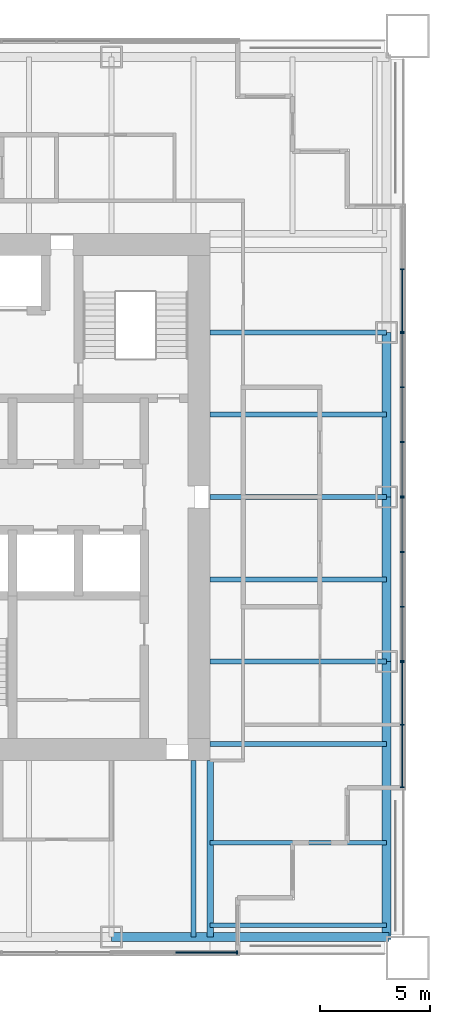
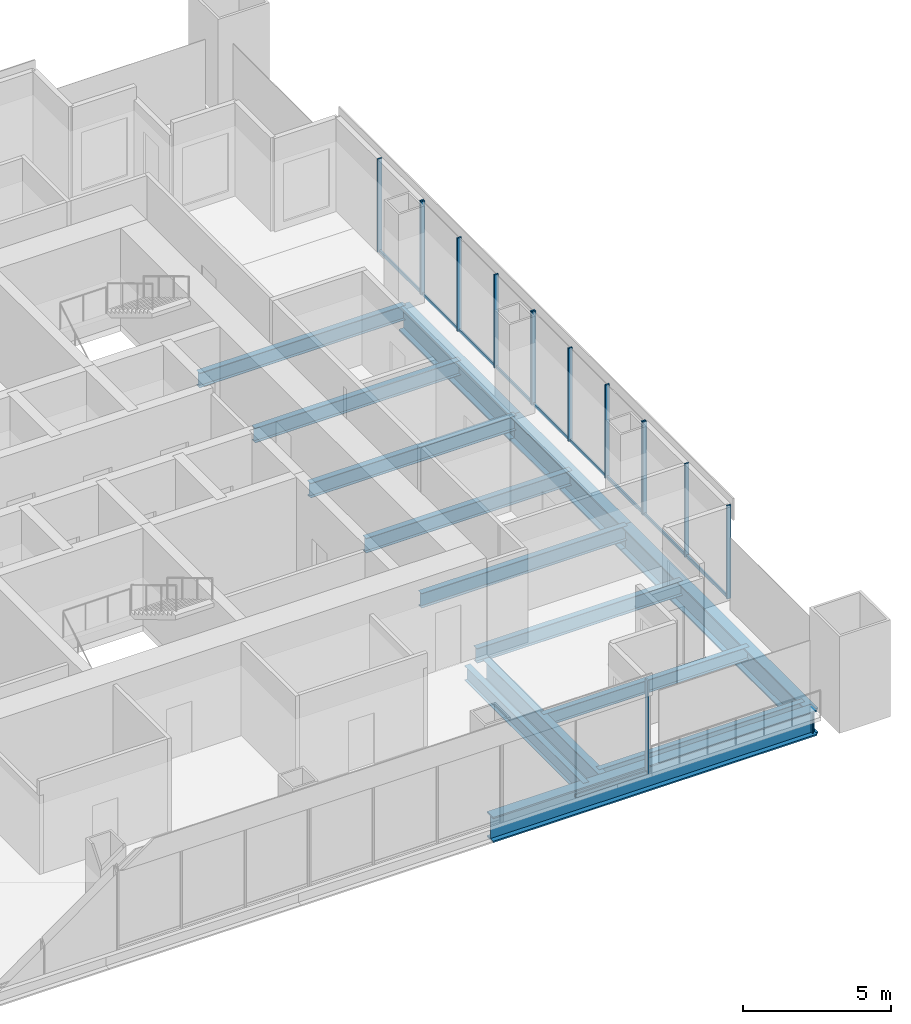
# One storey, part 5 of 14: 24 members, 14 beams, 5 elements without a shape of their own.
"""IFC4 building model written with IfcOpenShell, lengths in metres."""

from ifc_helpers import new_model, si_unit, direction, frame, origin, origin_2d, place, context, subcontext, project, spatial, rectangle, i_section, extrude, material, material_profile, profile_set, type_object, element, aggregate, save


model = new_model("IFC4")

# Units and contexts
model_context = context("Model", 3, precision=1e-05, world=origin(), true_north=direction((0.0, 1.0)))
body_context = subcontext(model_context, "Body", "Model", "MODEL_VIEW")
ifc_project = project(units=[si_unit("LENGTHUNIT", "METRE"), si_unit("AREAUNIT", "SQUARE_METRE"), si_unit("VOLUMEUNIT", "CUBIC_METRE"), si_unit("PLANEANGLEUNIT", "RADIAN"), si_unit("MASSUNIT", "GRAM", prefix="KILO")], contexts=[model_context])

# Site, building, storey
site_placement = place(None, origin())
site = spatial("IfcSite", under=ifc_project, at=site_placement, CompositionType="ELEMENT")
building_placement = place(site_placement, origin())
building = spatial("IfcBuilding", under=site, at=building_placement, Name="Tarangal Relay Tower", CompositionType="ELEMENT")
storey_placement = place(building_placement, frame((0.0, 0.0, 323.89990234375)))
storey = spatial("IfcBuildingStorey", under=building, at=storey_placement, Name="L72", CompositionType="ELEMENT", Elevation=323.89990234375)

# Beams
ifc_material_1 = material(Name="Steel ASTM A992", Category="steel")
ifc_material_profile_1 = material_profile(ifc_material_1, i_section(OverallWidth=0.209228515625, OverallDepth=0.533447265625, WebThickness=0.01025390625, FlangeThickness=0.015625, at=origin_2d()), Name="W21X62")
ifc_profile_set_1 = profile_set([ifc_material_profile_1], Name="Steel ASTM A992")
beam_type_1 = type_object("IfcBeamType", Name="Corner beam W21X62", PredefinedType="JOIST", material=ifc_profile_set_1)
for number, where, z_axis, x_axis, name in (
    (1, (12.0, -15.75, -0.41650390625), (1.0, 0.0, 0.0), (0.0, 1.0, 0.0), "Corner beam CB12 E L72"),
    (2, (12.0, -19.5, -0.41650390625), (1.0, 0.0, 0.0), (0.0, 1.0, 0.0), "Corner beam CB12 E L72"),
):
    element("IfcBeam", number, at=place(storey_placement, frame(where, z_axis=z_axis, x_axis=x_axis)), inside=storey, type_object=beam_type_1, Name=name, PredefinedType="JOIST", context=body_context, shape_type="SweptSolid", body=[
        extrude(i_section(OverallWidth=0.209228515625, OverallDepth=0.533447265625, WebThickness=0.01025390625, FlangeThickness=0.015625, at=origin_2d()), origin(), (0.0, 0.0, 1.0), 8.0400390625),
    ])
ifc_material_profile_2 = material_profile(ifc_material_1, i_section(OverallWidth=0.2919921875, OverallDepth=0.8408203125, WebThickness=0.0146484375, FlangeThickness=0.021728515625, at=origin_2d()), Name="W33X130")
ifc_profile_set_2 = profile_set([ifc_material_profile_2], Name="Steel ASTM A992")
beam_type_2 = type_object("IfcBeamType", Name="Corner girder W33X130", PredefinedType="BEAM", material=ifc_profile_set_2)
beam_placement = place(storey_placement, frame((12.0, -12.0, -0.5703125), z_axis=(0.0, -1.0, 0.0), x_axis=(1.0, 0.0, 0.0)))
element("IfcBeam", 3, at=beam_placement, inside=storey, type_object=beam_type_2, Name="Corner girder CG5 E L72", PredefinedType="BEAM", context=body_context, shape_type="SweptSolid", body=[
    extrude(i_section(OverallWidth=0.2919921875, OverallDepth=0.8408203125, WebThickness=0.0146484375, FlangeThickness=0.021728515625, at=origin_2d()), origin(), (0.0, 0.0, 1.0), 8.0400390625),
])
ifc_material_profile_3 = material_profile(ifc_material_1, i_section(OverallWidth=0.41162109375, OverallDepth=1.049072265625, WebThickness=0.033935546875, FlangeThickness=0.059814453125, at=origin_2d()), Name="W40X431")
ifc_profile_set_3 = profile_set([ifc_material_profile_3], Name="Steel ASTM A992")
beam_type_3 = type_object("IfcBeamType", Name="Edge girder W40X431", PredefinedType="SPANDREL", material=ifc_profile_set_3)
for number, where, z_axis, x_axis, name in (
    (4, (20.0400390625, 7.5, -0.67431640625), (0.0, -1.0, 0.0), (1.0, 0.0, 0.0), "Edge girder EG1 E L72"),
    (5, (20.0400390625, 0.0, -0.67431640625), (0.0, -1.0, 0.0), (1.0, 0.0, 0.0), "Edge girder EG1 E L72"),
):
    element("IfcBeam", number, at=place(storey_placement, frame(where, z_axis=z_axis, x_axis=x_axis)), inside=storey, type_object=beam_type_3, Name=name, PredefinedType="SPANDREL", context=body_context, shape_type="SweptSolid", body=[
        extrude(i_section(OverallWidth=0.41162109375, OverallDepth=1.049072265625, WebThickness=0.033935546875, FlangeThickness=0.059814453125, at=origin_2d()), origin(), (0.0, 0.0, 1.0), 7.5),
    ])
for number, where, z_axis, x_axis, name in (
    (6, (20.0400390625, -7.5, -0.67431640625), (0.0, -1.0, 0.0), (1.0, 0.0, 0.0), "Edge girder EG1 E L72"),
    (7, (20.14990234375, -20.0400390625, -0.67431640625), (-1.0, 0.0, 0.0), (0.0, -1.0, 0.0), "Edge girder EG1 S L72"),
):
    element("IfcBeam", number, at=place(storey_placement, frame(where, z_axis=z_axis, x_axis=x_axis)), inside=storey, type_object=beam_type_3, Name=name, PredefinedType="SPANDREL", context=body_context, shape_type="SweptSolid", body=[
        extrude(i_section(OverallWidth=0.41162109375, OverallDepth=1.049072265625, WebThickness=0.033935546875, FlangeThickness=0.059814453125, at=origin_2d()), origin(), (0.0, 0.0, 1.0), 12.64990234375),
    ])
ifc_material_profile_4 = material_profile(ifc_material_1, i_section(OverallWidth=0.228271484375, OverallDepth=0.607177734375, WebThickness=0.01123046875, FlangeThickness=0.017333984375, at=origin_2d()), Name="W24X76")
ifc_profile_set_4 = profile_set([ifc_material_profile_4], Name="Steel ASTM A992")
beam_type_4 = type_object("IfcBeamType", Name="Floor beam W24X76", PredefinedType="BEAM", material=ifc_profile_set_4)
for number, where, z_axis, x_axis, name in (
    (8, (12.0, 7.5, -0.453369140625), (1.0, 0.0, 0.0), (0.0, 1.0, 0.0), "Floor beam RB5 E L72"),
    (9, (12.0, 3.75, -0.453369140625), (1.0, 0.0, 0.0), (0.0, 1.0, 0.0), "Floor beam RB5 E L72"),
    (10, (12.0, 0.0, -0.453369140625), (1.0, 0.0, 0.0), (0.0, 1.0, 0.0), "Floor beam RB5 E L72"),
    (11, (12.0, -3.75, -0.453369140625), (1.0, 0.0, 0.0), (0.0, 1.0, 0.0), "Floor beam RB5 E L72"),
    (12, (12.0, -7.5, -0.453369140625), (1.0, 0.0, 0.0), (0.0, 1.0, 0.0), "Floor beam RB5 E L72"),
    (13, (12.0, -11.25, -0.453369140625), (1.0, 0.0, 0.0), (0.0, 1.0, 0.0), "Floor beam RB5 E L72"),
    (14, (11.25, -12.0, -0.453369140625), (0.0, -1.0, 0.0), (1.0, 0.0, 0.0), "Floor beam RB5 S L72"),
):
    element("IfcBeam", number, at=place(storey_placement, frame(where, z_axis=z_axis, x_axis=x_axis)), inside=storey, type_object=beam_type_4, Name=name, PredefinedType="BEAM", context=body_context, shape_type="SweptSolid", body=[
        extrude(i_section(OverallWidth=0.228271484375, OverallDepth=0.607177734375, WebThickness=0.01123046875, FlangeThickness=0.017333984375, at=origin_2d()), origin(), (0.0, 0.0, 1.0), 8.0400390625),
    ])

# Curtain wall, members
ifc_material_2 = material(Name="Unitised curtain wall, dark glass and black aluminium", Category="aluminium")
curtain_wall_type_1 = type_object("IfcCurtainWallType", Name="Curtain wall CW-B", PredefinedType="USERDEFINED", material=ifc_material_2)
curtain_wall_1_placement = place(storey_placement, origin())
curtain_wall_1 = element("IfcCurtainWall", 15, at=curtain_wall_1_placement, inside=storey, type_object=curtain_wall_type_1, Name="Curtain wall CW-B E facade L72", ObjectType="UNITISED CURTAIN WALL", PredefinedType="USERDEFINED")
ifc_material_3 = material(Name="Black anodised aluminium mullion", Category="aluminium")
ifc_material_profile_5 = material_profile(ifc_material_3, rectangle(XDim=0.159912109375, YDim=0.06005859375, at=origin_2d()), Name="CW-BM 60X160")
ifc_profile_set_5 = profile_set([ifc_material_profile_5], Name="Black anodised aluminium mullion")
member_type_1 = type_object("IfcMemberType", Name="Mullion CW-B 60 x 160", PredefinedType="MULLION", material=ifc_profile_set_5)
member_1_placement = place(storey_placement, frame((20.75, 7.469970703125, 0.0), z_axis=(0.0, 0.0, 1.0), x_axis=(1.0, 0.0, 0.0)))
member_1 = element("IfcMember", 16, at=member_1_placement, type_object=member_type_1, Name="CW-B mullion 1", PredefinedType="MULLION", context=body_context, shape_type="SweptSolid", body=[
    extrude(rectangle(XDim=0.159912109375, YDim=0.06005859375, at=origin_2d()), origin(), (0.0, 0.0, 1.0), 3.85009765625),
])
member_2_placement = place(storey_placement, frame((20.75, 5.0, 0.0), z_axis=(0.0, 0.0, 1.0), x_axis=(1.0, 0.0, 0.0)))
member_2 = element("IfcMember", 17, at=member_2_placement, type_object=member_type_1, Name="CW-B mullion 2", PredefinedType="MULLION", context=body_context, shape_type="SweptSolid", body=[
    extrude(rectangle(XDim=0.159912109375, YDim=0.06005859375, at=origin_2d()), origin(), (0.0, 0.0, 1.0), 3.85009765625),
])
member_3_placement = place(storey_placement, frame((20.75, 2.5, 0.0), z_axis=(0.0, 0.0, 1.0), x_axis=(1.0, 0.0, 0.0)))
member_3 = element("IfcMember", 18, at=member_3_placement, type_object=member_type_1, Name="CW-B mullion 3", PredefinedType="MULLION", context=body_context, shape_type="SweptSolid", body=[
    extrude(rectangle(XDim=0.159912109375, YDim=0.06005859375, at=origin_2d()), origin(), (0.0, 0.0, 1.0), 3.85009765625),
])
member_4_placement = place(storey_placement, frame((20.75, 0.030029296875, 0.0), z_axis=(0.0, 0.0, 1.0), x_axis=(1.0, 0.0, 0.0)))
member_4 = element("IfcMember", 19, at=member_4_placement, type_object=member_type_1, Name="CW-B mullion 4", PredefinedType="MULLION", context=body_context, shape_type="SweptSolid", body=[
    extrude(rectangle(XDim=0.159912109375, YDim=0.06005859375, at=origin_2d()), origin(), (0.0, 0.0, 1.0), 3.85009765625),
])

curtain_wall_2_placement = place(storey_placement, origin())
curtain_wall_2 = element("IfcCurtainWall", 20, at=curtain_wall_2_placement, inside=storey, type_object=curtain_wall_type_1, Name="Curtain wall CW-B E facade L72", ObjectType="UNITISED CURTAIN WALL", PredefinedType="USERDEFINED")
member_5_placement = place(storey_placement, frame((20.75, -0.030029296875, 0.0), z_axis=(0.0, 0.0, 1.0), x_axis=(1.0, 0.0, 0.0)))
member_5 = element("IfcMember", 21, at=member_5_placement, type_object=member_type_1, Name="CW-B mullion 1", PredefinedType="MULLION", context=body_context, shape_type="SweptSolid", body=[
    extrude(rectangle(XDim=0.159912109375, YDim=0.06005859375, at=origin_2d()), origin(), (0.0, 0.0, 1.0), 3.85009765625),
])
member_6_placement = place(storey_placement, frame((20.75, -2.5, 0.0), z_axis=(0.0, 0.0, 1.0), x_axis=(1.0, 0.0, 0.0)))
member_6 = element("IfcMember", 22, at=member_6_placement, type_object=member_type_1, Name="CW-B mullion 2", PredefinedType="MULLION", context=body_context, shape_type="SweptSolid", body=[
    extrude(rectangle(XDim=0.159912109375, YDim=0.06005859375, at=origin_2d()), origin(), (0.0, 0.0, 1.0), 3.85009765625),
])
member_7_placement = place(storey_placement, frame((20.75, -5.0, 0.0), z_axis=(0.0, 0.0, 1.0), x_axis=(1.0, 0.0, 0.0)))
member_7 = element("IfcMember", 23, at=member_7_placement, type_object=member_type_1, Name="CW-B mullion 3", PredefinedType="MULLION", context=body_context, shape_type="SweptSolid", body=[
    extrude(rectangle(XDim=0.159912109375, YDim=0.06005859375, at=origin_2d()), origin(), (0.0, 0.0, 1.0), 3.85009765625),
])
member_8_placement = place(storey_placement, frame((20.75, -7.469970703125, 0.0), z_axis=(0.0, 0.0, 1.0), x_axis=(1.0, 0.0, 0.0)))
member_8 = element("IfcMember", 24, at=member_8_placement, type_object=member_type_1, Name="CW-B mullion 4", PredefinedType="MULLION", context=body_context, shape_type="SweptSolid", body=[
    extrude(rectangle(XDim=0.159912109375, YDim=0.06005859375, at=origin_2d()), origin(), (0.0, 0.0, 1.0), 3.85009765625),
])

ifc_material_4 = material(Name="Unitised curtain wall frame, black aluminium, with metal clad infill walls", Category="aluminium")
curtain_wall_type_2 = type_object("IfcCurtainWallType", Name="Curtain wall CW-BO", PredefinedType="USERDEFINED", material=ifc_material_4)
curtain_wall_3_placement = place(storey_placement, origin())
curtain_wall_3 = element("IfcCurtainWall", 25, at=curtain_wall_3_placement, inside=storey, type_object=curtain_wall_type_2, Name="Curtain wall CW-BO E facade L72", ObjectType="UNITISED CURTAIN WALL", PredefinedType="USERDEFINED")
ifc_material_profile_6 = material_profile(ifc_material_3, rectangle(XDim=0.159912109375, YDim=0.06005859375, at=origin_2d()), Name="CW-BOM 60X160")
ifc_profile_set_6 = profile_set([ifc_material_profile_6], Name="Black anodised aluminium mullion")
member_type_2 = type_object("IfcMemberType", Name="Mullion CW-BO 60 x 160", PredefinedType="MULLION", material=ifc_profile_set_6)
member_9_placement = place(storey_placement, frame((20.75, 10.375, 0.0), z_axis=(0.0, 0.0, 1.0), x_axis=(1.0, 0.0, 0.0)))
member_9 = element("IfcMember", 26, at=member_9_placement, type_object=member_type_2, Name="CW-BO mullion 2", PredefinedType="MULLION", context=body_context, shape_type="SweptSolid", body=[
    extrude(rectangle(XDim=0.159912109375, YDim=0.06005859375, at=origin_2d()), origin(), (0.0, 0.0, 1.0), 3.85009765625),
])
member_10_placement = place(storey_placement, frame((20.75, 7.530029296875, 0.0), z_axis=(0.0, 0.0, 1.0), x_axis=(1.0, 0.0, 0.0)))
member_10 = element("IfcMember", 27, at=member_10_placement, type_object=member_type_2, Name="CW-BO mullion 3", PredefinedType="MULLION", context=body_context, shape_type="SweptSolid", body=[
    extrude(rectangle(XDim=0.159912109375, YDim=0.06005859375, at=origin_2d()), origin(), (0.0, 0.0, 1.0), 3.85009765625),
])

curtain_wall_4_placement = place(storey_placement, origin())
curtain_wall_4 = element("IfcCurtainWall", 28, at=curtain_wall_4_placement, inside=storey, type_object=curtain_wall_type_2, Name="Curtain wall CW-BO E facade L72", ObjectType="UNITISED CURTAIN WALL", PredefinedType="USERDEFINED")
member_11_placement = place(storey_placement, frame((20.75, -7.530029296875, 0.0), z_axis=(0.0, 0.0, 1.0), x_axis=(1.0, 0.0, 0.0)))
member_11 = element("IfcMember", 29, at=member_11_placement, type_object=member_type_2, Name="CW-BO mullion 1", PredefinedType="MULLION", context=body_context, shape_type="SweptSolid", body=[
    extrude(rectangle(XDim=0.159912109375, YDim=0.06005859375, at=origin_2d()), origin(), (0.0, 0.0, 1.0), 3.85009765625),
])
member_12_placement = place(storey_placement, frame((20.75, -10.375, 0.0), z_axis=(0.0, 0.0, 1.0), x_axis=(1.0, 0.0, 0.0)))
member_12 = element("IfcMember", 30, at=member_12_placement, type_object=member_type_2, Name="CW-BO mullion 2", PredefinedType="MULLION", context=body_context, shape_type="SweptSolid", body=[
    extrude(rectangle(XDim=0.159912109375, YDim=0.06005859375, at=origin_2d()), origin(), (0.0, 0.0, 1.0), 3.85009765625),
])
member_13_placement = place(storey_placement, frame((20.75, -13.219970703125, 0.0), z_axis=(0.0, 0.0, 1.0), x_axis=(1.0, 0.0, 0.0)))
member_13 = element("IfcMember", 31, at=member_13_placement, type_object=member_type_2, Name="CW-BO mullion 3", PredefinedType="MULLION", context=body_context, shape_type="SweptSolid", body=[
    extrude(rectangle(XDim=0.159912109375, YDim=0.06005859375, at=origin_2d()), origin(), (0.0, 0.0, 1.0), 3.85009765625),
])

# Curtain wall, member
curtain_wall_5_placement = place(storey_placement, origin())
curtain_wall_5 = element("IfcCurtainWall", 32, at=curtain_wall_5_placement, inside=storey, type_object=curtain_wall_type_2, Name="Curtain wall CW-BO S facade L72", ObjectType="UNITISED CURTAIN WALL", PredefinedType="USERDEFINED")
member_14_placement = place(storey_placement, frame((13.219970703125, -20.75, 0.0), z_axis=(0.0, 0.0, 1.0), x_axis=(0.0, -1.0, 0.0)))
member_14 = element("IfcMember", 33, at=member_14_placement, type_object=member_type_2, Name="CW-BO mullion 1", PredefinedType="MULLION", context=body_context, shape_type="SweptSolid", body=[
    extrude(rectangle(XDim=0.159912109375, YDim=0.06005859375, at=origin_2d()), origin(), (0.0, 0.0, 1.0), 3.85009765625),
])

# Member
ifc_material_5 = material(Name="Black anodised aluminium transom", Category="aluminium")
ifc_material_profile_7 = material_profile(ifc_material_5, rectangle(XDim=0.06005859375, YDim=0.1298828125, at=origin_2d()), Name="CW-BT 60X130")
ifc_profile_set_7 = profile_set([ifc_material_profile_7], Name="Black anodised aluminium transom")
member_type_3 = type_object("IfcMemberType", Name="Transom CW-B 60 x 130", PredefinedType="USERDEFINED", material=ifc_profile_set_7)
member_15_placement = place(storey_placement, frame((20.75, 7.43994140625, 0.030029296875), z_axis=(0.0, -1.0, 0.0), x_axis=(1.0, 0.0, 0.0)))
member_15 = element("IfcMember", 34, at=member_15_placement, type_object=member_type_3, Name="CW-B transom 1.1", ObjectType="TRANSOM", PredefinedType="USERDEFINED", context=body_context, shape_type="SweptSolid", body=[
    extrude(rectangle(XDim=0.06005859375, YDim=0.1298828125, at=origin_2d()), origin(), (0.0, 0.0, 1.0), 2.409912109375),
])

member_16_placement = place(storey_placement, frame((20.75, 4.969970703125, 0.030029296875), z_axis=(0.0, -1.0, 0.0), x_axis=(1.0, 0.0, 0.0)))
member_16 = element("IfcMember", 35, at=member_16_placement, type_object=member_type_3, Name="CW-B transom 2.1", ObjectType="TRANSOM", PredefinedType="USERDEFINED", context=body_context, shape_type="SweptSolid", body=[
    extrude(rectangle(XDim=0.06005859375, YDim=0.1298828125, at=origin_2d()), origin(), (0.0, 0.0, 1.0), 2.43994140625),
])

member_17_placement = place(storey_placement, frame((20.75, 2.469970703125, 0.030029296875), z_axis=(0.0, -1.0, 0.0), x_axis=(1.0, 0.0, 0.0)))
member_17 = element("IfcMember", 36, at=member_17_placement, type_object=member_type_3, Name="CW-B transom 3.1", ObjectType="TRANSOM", PredefinedType="USERDEFINED", context=body_context, shape_type="SweptSolid", body=[
    extrude(rectangle(XDim=0.06005859375, YDim=0.1298828125, at=origin_2d()), origin(), (0.0, 0.0, 1.0), 2.409912109375),
])

aggregate(curtain_wall_1, [member_1, member_2, member_3, member_4, member_15, member_16, member_17])

member_18_placement = place(storey_placement, frame((20.75, -0.06005859375, 0.030029296875), z_axis=(0.0, -1.0, 0.0), x_axis=(1.0, 0.0, 0.0)))
member_18 = element("IfcMember", 37, at=member_18_placement, type_object=member_type_3, Name="CW-B transom 1.1", ObjectType="TRANSOM", PredefinedType="USERDEFINED", context=body_context, shape_type="SweptSolid", body=[
    extrude(rectangle(XDim=0.06005859375, YDim=0.1298828125, at=origin_2d()), origin(), (0.0, 0.0, 1.0), 2.409912109375),
])

member_19_placement = place(storey_placement, frame((20.75, -2.530029296875, 0.030029296875), z_axis=(0.0, -1.0, 0.0), x_axis=(1.0, 0.0, 0.0)))
member_19 = element("IfcMember", 38, at=member_19_placement, type_object=member_type_3, Name="CW-B transom 2.1", ObjectType="TRANSOM", PredefinedType="USERDEFINED", context=body_context, shape_type="SweptSolid", body=[
    extrude(rectangle(XDim=0.06005859375, YDim=0.1298828125, at=origin_2d()), origin(), (0.0, 0.0, 1.0), 2.43994140625),
])

member_20_placement = place(storey_placement, frame((20.75, -5.030029296875, 0.030029296875), z_axis=(0.0, -1.0, 0.0), x_axis=(1.0, 0.0, 0.0)))
member_20 = element("IfcMember", 39, at=member_20_placement, type_object=member_type_3, Name="CW-B transom 3.1", ObjectType="TRANSOM", PredefinedType="USERDEFINED", context=body_context, shape_type="SweptSolid", body=[
    extrude(rectangle(XDim=0.06005859375, YDim=0.1298828125, at=origin_2d()), origin(), (0.0, 0.0, 1.0), 2.409912109375),
])

aggregate(curtain_wall_2, [member_5, member_6, member_7, member_8, member_18, member_19, member_20])

ifc_material_profile_8 = material_profile(ifc_material_5, rectangle(XDim=0.06005859375, YDim=0.1298828125, at=origin_2d()), Name="CW-BOT 60X130")
ifc_profile_set_8 = profile_set([ifc_material_profile_8], Name="Black anodised aluminium transom")
member_type_4 = type_object("IfcMemberType", Name="Transom CW-BO 60 x 130", PredefinedType="USERDEFINED", material=ifc_profile_set_8)
member_21_placement = place(storey_placement, frame((20.75, 10.344970703125, 0.030029296875), z_axis=(0.0, -1.0, 0.0), x_axis=(1.0, 0.0, 0.0)))
member_21 = element("IfcMember", 40, at=member_21_placement, type_object=member_type_4, Name="CW-BO transom 2.1", ObjectType="TRANSOM", PredefinedType="USERDEFINED", context=body_context, shape_type="SweptSolid", body=[
    extrude(rectangle(XDim=0.06005859375, YDim=0.1298828125, at=origin_2d()), origin(), (0.0, 0.0, 1.0), 2.784912109375),
])

aggregate(curtain_wall_3, [member_9, member_10, member_21])

member_22_placement = place(storey_placement, frame((20.75, -7.56005859375, 0.030029296875), z_axis=(0.0, -1.0, 0.0), x_axis=(1.0, 0.0, 0.0)))
member_22 = element("IfcMember", 41, at=member_22_placement, type_object=member_type_4, Name="CW-BO transom 1.1", ObjectType="TRANSOM", PredefinedType="USERDEFINED", context=body_context, shape_type="SweptSolid", body=[
    extrude(rectangle(XDim=0.06005859375, YDim=0.1298828125, at=origin_2d()), origin(), (0.0, 0.0, 1.0), 2.784912109375),
])

member_23_placement = place(storey_placement, frame((20.75, -10.405029296875, 0.030029296875), z_axis=(0.0, -1.0, 0.0), x_axis=(1.0, 0.0, 0.0)))
member_23 = element("IfcMember", 42, at=member_23_placement, type_object=member_type_4, Name="CW-BO transom 2.1", ObjectType="TRANSOM", PredefinedType="USERDEFINED", context=body_context, shape_type="SweptSolid", body=[
    extrude(rectangle(XDim=0.06005859375, YDim=0.1298828125, at=origin_2d()), origin(), (0.0, 0.0, 1.0), 2.784912109375),
])

aggregate(curtain_wall_4, [member_11, member_12, member_13, member_22, member_23])

member_24_placement = place(storey_placement, frame((13.18994140625, -20.75, 0.030029296875), z_axis=(-1.0, 0.0, 0.0), x_axis=(0.0, -1.0, 0.0)))
member_24 = element("IfcMember", 43, at=member_24_placement, type_object=member_type_4, Name="CW-BO transom 1.1", ObjectType="TRANSOM", PredefinedType="USERDEFINED", context=body_context, shape_type="SweptSolid", body=[
    extrude(rectangle(XDim=0.06005859375, YDim=0.1298828125, at=origin_2d()), origin(), (0.0, 0.0, 1.0), 2.784912109375),
])

aggregate(curtain_wall_5, [member_14, member_24])

save(model, "model.ifc")
